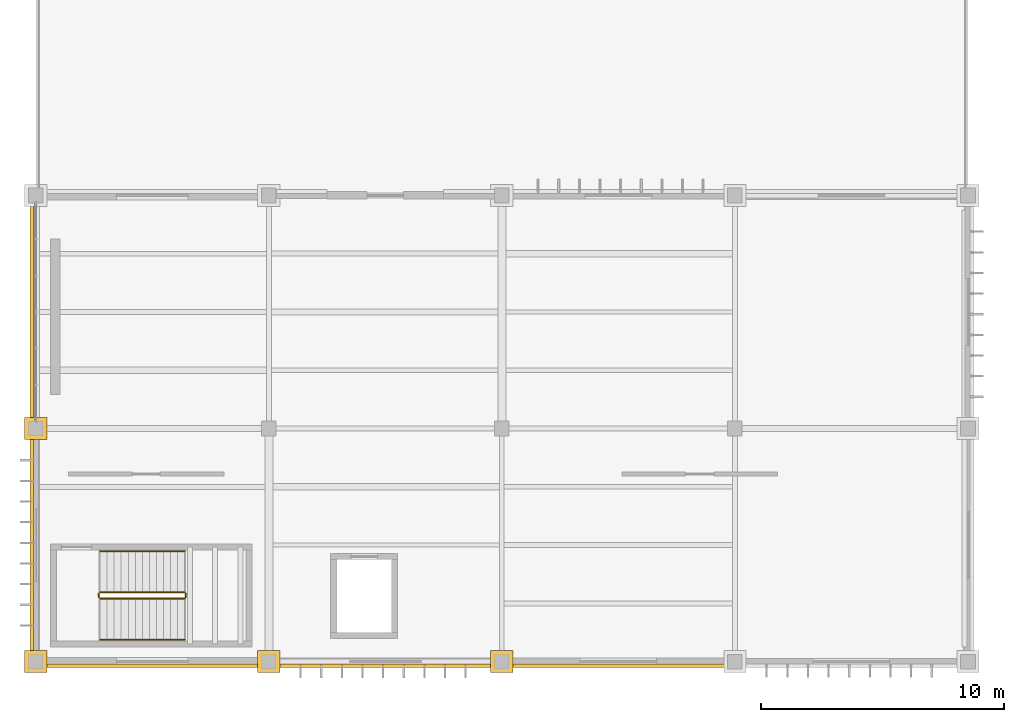
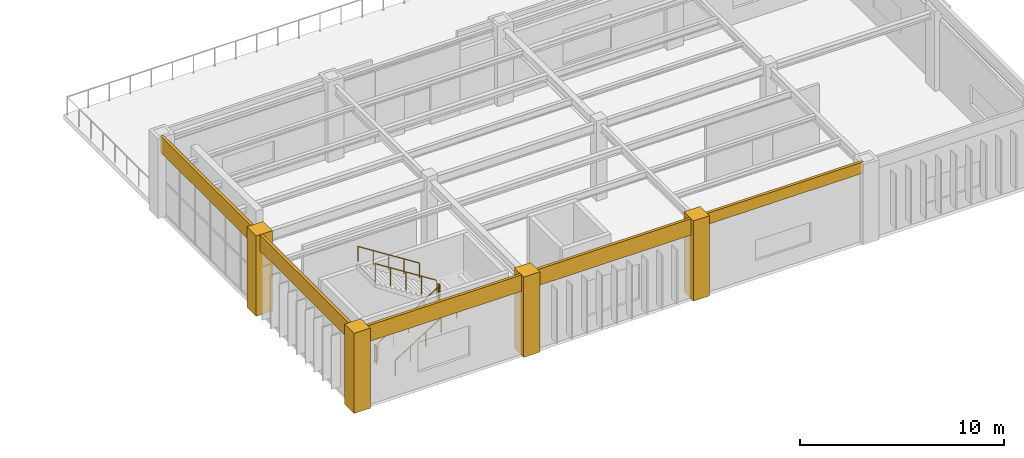
# One storey, part 66 of 83: 9 coverings, 6 railings.
"""IFC4 building model written with IfcOpenShell, lengths in metres."""

from ifc_helpers import new_model, si_unit, direction, frame, origin, origin_2d, place, context, subcontext, project, spatial, polyline, circle, outline, extrude, material, layer, layer_set, type_object, element, save


model = new_model("IFC4")

# Units and contexts
model_context = context("Model", 3, precision=1e-05, world=origin(), true_north=direction((0.0, 1.0)))
body_context = subcontext(model_context, "Body", "Model", "MODEL_VIEW")
ifc_project = project(units=[si_unit("LENGTHUNIT", "METRE"), si_unit("AREAUNIT", "SQUARE_METRE"), si_unit("VOLUMEUNIT", "CUBIC_METRE"), si_unit("PLANEANGLEUNIT", "RADIAN"), si_unit("MASSUNIT", "GRAM", prefix="KILO")], contexts=[model_context])

# Site, building, storey
site_placement = place(None, origin())
site = spatial("IfcSite", under=ifc_project, at=site_placement, CompositionType="ELEMENT")
building_placement = place(site_placement, origin())
building = spatial("IfcBuilding", under=site, at=building_placement, Name="Mavantir Sound Aquarium", CompositionType="ELEMENT")
storey_placement = place(building_placement, frame((0.0, 0.0, 10.5)))
storey = spatial("IfcBuildingStorey", under=building, at=storey_placement, Name="L02", CompositionType="ELEMENT", Elevation=10.5)

# Coverings
ifc_material_1 = material(Name="Honed Coral-Limestone & Glazed Terracotta Rainscreen Cladding", Category="masonry")
ifc_layer = layer(ifc_material_1, 0.06005859375, Name="Honed Coral-Limestone & Glazed Terracotta Rainscreen Cladding")
ifc_layer_set = layer_set([ifc_layer], Name="Honed Coral-Limestone & Glazed Terracotta Rainscreen Cladding")
covering_type = type_object("IfcCoveringType", Name="COV-CLAD-TC", PredefinedType="CLADDING", material=ifc_layer_set)
covering_1_placement = place(storey_placement, frame((0.0, 0.0, 3.823974609375)))
element("IfcCovering", 1, at=covering_1_placement, inside=storey, type_object=covering_type, Name="L02 Postmodern coral-limestone spandrel frieze 331", PredefinedType="CLADDING", context=body_context, shape_type="SweptSolid", body=[
    extrude(outline(polyline([(-0.090087890625, 18.89208984375), (-0.090087890625, 9.907958984375), (-0.239990234375, 9.907958984375), (-0.239990234375, 18.89208984375), (-0.090087890625, 18.89208984375)])), origin(), (0.0, 0.0, 1.0), 0.97607421875),
])
covering_2_placement = place(storey_placement, frame((0.0, 0.0, 3.823974609375)))
element("IfcCovering", 2, at=covering_2_placement, inside=storey, type_object=covering_type, Name="L02 Postmodern coral-limestone spandrel frieze 332", PredefinedType="CLADDING", context=body_context, shape_type="SweptSolid", body=[
    extrude(outline(polyline([(-0.090087890625, 9.2919921875), (-0.090087890625, 0.30810546875), (-0.239990234375, 0.30810546875), (-0.239990234375, 9.2919921875), (-0.090087890625, 9.2919921875)])), origin(), (0.0, 0.0, 1.0), 0.97607421875),
])
covering_3_placement = place(storey_placement, frame((0.0, 0.0, 3.824951171875)))
element("IfcCovering", 3, at=covering_3_placement, inside=storey, type_object=covering_type, Name="L02 Postmodern coral-limestone spandrel frieze 333", PredefinedType="CLADDING", context=body_context, shape_type="SweptSolid", body=[
    extrude(outline(polyline([(0.30810546875, -0.090087890625), (9.2919921875, -0.090087890625), (9.2919921875, -0.239990234375), (0.30810546875, -0.239990234375), (0.30810546875, -0.090087890625)])), origin(), (0.0, 0.0, 1.0), 0.97509765625),
])
covering_4_placement = place(storey_placement, frame((0.0, 0.0, 3.824951171875)))
element("IfcCovering", 4, at=covering_4_placement, inside=storey, type_object=covering_type, Name="L02 Postmodern coral-limestone spandrel frieze 334", PredefinedType="CLADDING", context=body_context, shape_type="SweptSolid", body=[
    extrude(outline(polyline([(9.907958984375, -0.090087890625), (18.89208984375, -0.090087890625), (18.89208984375, -0.239990234375), (9.907958984375, -0.239990234375), (9.907958984375, -0.090087890625)])), origin(), (0.0, 0.0, 1.0), 0.97509765625),
])
covering_5_placement = place(storey_placement, frame((0.0, 0.0, 4.1279296875)))
element("IfcCovering", 5, at=covering_5_placement, inside=storey, type_object=covering_type, Name="L02 Postmodern coral-limestone spandrel frieze 335", PredefinedType="CLADDING", context=body_context, shape_type="SweptSolid", body=[
    extrude(outline(polyline([(19.508056640625, -0.090087890625), (28.491943359375, -0.090087890625), (28.491943359375, -0.239990234375), (19.508056640625, -0.239990234375), (19.508056640625, -0.090087890625)])), origin(), (0.0, 0.0, 1.0), 0.672119140625),
])
covering_6_placement = place(storey_placement, origin())
element("IfcCovering", 6, at=covering_6_placement, inside=storey, type_object=covering_type, Name="L02 Postmodern coral-limestone pilaster casing 161", PredefinedType="CLADDING", context=body_context, shape_type="SweptSolid", body=[
    extrude(outline(polyline([(-0.4599609375, -0.4599609375), (0.4599609375, -0.4599609375), (0.4599609375, 0.4599609375), (-0.4599609375, 0.4599609375), (-0.4599609375, -0.4599609375)])), origin(), (0.0, 0.0, 1.0), 4.800048828125),
])
covering_7_placement = place(storey_placement, origin())
element("IfcCovering", 7, at=covering_7_placement, inside=storey, type_object=covering_type, Name="L02 Postmodern coral-limestone pilaster casing 165", PredefinedType="CLADDING", context=body_context, shape_type="SweptSolid", body=[
    extrude(outline(polyline([(-0.4599609375, 9.139892578125), (0.4599609375, 9.139892578125), (0.4599609375, 10.06005859375), (-0.4599609375, 10.06005859375), (-0.4599609375, 9.139892578125)])), origin(), (0.0, 0.0, 1.0), 4.800048828125),
])
covering_8_placement = place(storey_placement, origin())
element("IfcCovering", 8, at=covering_8_placement, inside=storey, type_object=covering_type, Name="L02 Postmodern coral-limestone pilaster casing 175", PredefinedType="CLADDING", context=body_context, shape_type="SweptSolid", body=[
    extrude(outline(polyline([(9.139892578125, -0.4599609375), (10.06005859375, -0.4599609375), (10.06005859375, 0.4599609375), (9.139892578125, 0.4599609375), (9.139892578125, -0.4599609375)])), origin(), (0.0, 0.0, 1.0), 4.800048828125),
])
covering_9_placement = place(storey_placement, origin())
element("IfcCovering", 9, at=covering_9_placement, inside=storey, type_object=covering_type, Name="L02 Postmodern coral-limestone pilaster casing 183", PredefinedType="CLADDING", context=body_context, shape_type="SweptSolid", body=[
    extrude(outline(polyline([(18.739990234375, -0.4599609375), (19.659912109375, -0.4599609375), (19.659912109375, 0.4599609375), (18.739990234375, 0.4599609375), (18.739990234375, -0.4599609375)])), origin(), (0.0, 0.0, 1.0), 4.800048828125),
])

# Railings
ifc_material_2 = material(Name="Stainless Steel 316 and Laminated Glass Guardrail", Category="steel")
railing_type_1 = type_object("IfcRailingType", Name="RL-GUARD-110", PredefinedType="GUARDRAIL", material=ifc_material_2)
railing_1_placement = place(storey_placement, frame((2.64990234375, 2.60009765625, 0.1845703125)))
element("IfcRailing", 10, at=railing_1_placement, inside=storey, type_object=railing_type_1, Name="L02 ST3 stair guard 1", PredefinedType="GUARDRAIL", context=body_context, shape_type="SweptSolid", body=[
    extrude(circle(Radius=0.02392578125, at=origin_2d()), frame((0.0, 0.0, 1.076171875), z_axis=(0.843573748531, 0.0, 0.537013343214), x_axis=(0.0, 1.0, 0.0)), (0.0, 0.0, 1.0), 4.125244140625),
    extrude(circle(Radius=0.02099609375, at=origin_2d()), origin(), (0.0, 0.0, 1.0), 1.052001953125),
    extrude(circle(Radius=0.02099609375, at=origin_2d()), frame((0.8701171875, 0.0, 0.5537109375)), (0.0, 0.0, 1.0), 1.052001953125),
    extrude(circle(Radius=0.02099609375, at=origin_2d()), frame((1.739990234375, 0.0, 1.107666015625)), (0.0, 0.0, 1.0), 1.052001953125),
    extrude(circle(Radius=0.02099609375, at=origin_2d()), frame((2.60986328125, 0.0, 1.66162109375)), (0.0, 0.0, 1.0), 1.052001953125),
    extrude(circle(Radius=0.02099609375, at=origin_2d()), frame((3.47998046875, 0.0, 2.21533203125)), (0.0, 0.0, 1.0), 1.052001953125),
])
railing_2_placement = place(storey_placement, frame((6.179931640625, 2.64990234375, 2.39990234375)))
element("IfcRailing", 11, at=railing_2_placement, inside=storey, type_object=railing_type_1, Name="L02 ST3 stair guard 2", PredefinedType="GUARDRAIL", context=body_context, shape_type="SweptSolid", body=[
    extrude(circle(Radius=0.02392578125, at=origin_2d()), frame((0.0, 0.0, 1.076171875), z_axis=(0.0, 1.0, 0.0), x_axis=(-1.0, 0.0, 0.0)), (0.0, 0.0, 1.0), 0.150146484375),
    extrude(circle(Radius=0.02099609375, at=origin_2d()), origin(), (0.0, 0.0, 1.0), 1.052001953125),
    extrude(circle(Radius=0.02099609375, at=origin_2d()), frame((0.0, 0.150146484375, 0.0)), (0.0, 0.0, 1.0), 1.052001953125),
])
railing_3_placement = place(storey_placement, frame((6.1298828125, 2.85009765625, 2.584716796875)))
element("IfcRailing", 12, at=railing_3_placement, inside=storey, type_object=railing_type_1, Name="L02 ST3 stair guard 3", PredefinedType="GUARDRAIL", context=body_context, shape_type="SweptSolid", body=[
    extrude(circle(Radius=0.02392578125, at=origin_2d()), frame((0.0, 0.0, 1.076171875), z_axis=(-0.843573748531, 0.0, 0.537013343214), x_axis=(0.0, -1.0, 0.0)), (0.0, 0.0, 1.0), 4.125244140625),
    extrude(circle(Radius=0.02099609375, at=origin_2d()), origin(), (0.0, 0.0, 1.0), 1.052001953125),
    extrude(circle(Radius=0.02099609375, at=origin_2d()), frame((-0.8701171875, 0.0, 0.5537109375)), (0.0, 0.0, 1.0), 1.052001953125),
    extrude(circle(Radius=0.02099609375, at=origin_2d()), frame((-1.739990234375, 0.0, 1.107666015625)), (0.0, 0.0, 1.0), 1.052001953125),
    extrude(circle(Radius=0.02099609375, at=origin_2d()), frame((-2.60986328125, 0.0, 1.66162109375)), (0.0, 0.0, 1.0), 1.052001953125),
    extrude(circle(Radius=0.02099609375, at=origin_2d()), frame((-3.47998046875, 0.0, 2.21533203125)), (0.0, 0.0, 1.0), 1.052001953125),
])
railing_4_placement = place(storey_placement, frame((2.60009765625, 2.64990234375, 0.0)))
element("IfcRailing", 13, at=railing_4_placement, inside=storey, type_object=railing_type_1, Name="L02 ST3 stair guard 4", PredefinedType="GUARDRAIL", context=body_context, shape_type="SweptSolid", body=[
    extrude(circle(Radius=0.02392578125, at=origin_2d()), frame((0.0, 0.0, 1.076171875), z_axis=(0.0, 1.0, 0.0), x_axis=(-1.0, 0.0, 0.0)), (0.0, 0.0, 1.0), 0.150146484375),
    extrude(circle(Radius=0.02099609375, at=origin_2d()), origin(), (0.0, 0.0, 1.0), 1.052001953125),
    extrude(circle(Radius=0.02099609375, at=origin_2d()), frame((0.0, 0.150146484375, 0.0)), (0.0, 0.0, 1.0), 1.052001953125),
])
ifc_material_3 = material(Name="Brushed Stainless Steel 316 Handrail", Category="steel")
railing_type_2 = type_object("IfcRailingType", Name="RL-HR-90", PredefinedType="HANDRAIL", material=ifc_material_3)
railing_5_placement = place(storey_placement, frame((2.64990234375, 0.89990234375, 0.36962890625)))
element("IfcRailing", 14, at=railing_5_placement, inside=storey, type_object=railing_type_2, Name="L02 ST3 stair handrail 1", PredefinedType="HANDRAIL", context=body_context, shape_type="SweptSolid", body=[
    extrude(circle(Radius=0.02392578125, at=origin_2d()), frame((0.0, 0.0, 0.89111328125), z_axis=(0.843573748531, 0.0, 0.537013343214), x_axis=(0.0, 1.0, 0.0)), (0.0, 0.0, 1.0), 4.125244140625),
    extrude(circle(Radius=0.02099609375, at=origin_2d()), origin(), (0.0, 0.0, 1.0), 0.866943359375),
    extrude(circle(Radius=0.02099609375, at=origin_2d()), frame((0.8701171875, 0.0, 0.5537109375)), (0.0, 0.0, 1.0), 0.866943359375),
    extrude(circle(Radius=0.02099609375, at=origin_2d()), frame((1.739990234375, 0.0, 1.107666015625)), (0.0, 0.0, 1.0), 0.866943359375),
    extrude(circle(Radius=0.02099609375, at=origin_2d()), frame((2.60986328125, 0.0, 1.66162109375)), (0.0, 0.0, 1.0), 0.866943359375),
    extrude(circle(Radius=0.02099609375, at=origin_2d()), frame((3.47998046875, 0.0, 2.21533203125)), (0.0, 0.0, 1.0), 0.866943359375),
])
railing_6_placement = place(storey_placement, frame((6.1298828125, 4.550048828125, 2.76953125)))
element("IfcRailing", 15, at=railing_6_placement, inside=storey, type_object=railing_type_2, Name="L02 ST3 stair handrail 2", PredefinedType="HANDRAIL", context=body_context, shape_type="SweptSolid", body=[
    extrude(circle(Radius=0.02392578125, at=origin_2d()), frame((0.0, 0.0, 0.89111328125), z_axis=(-0.843546938479, 0.0, 0.53705545578), x_axis=(0.0, -1.0, 0.0)), (0.0, 0.0, 1.0), 4.12548828125),
    extrude(circle(Radius=0.02099609375, at=origin_2d()), origin(), (0.0, 0.0, 1.0), 0.866943359375),
    extrude(circle(Radius=0.02099609375, at=origin_2d()), frame((-0.8701171875, 0.0, 0.553955078125)), (0.0, 0.0, 1.0), 0.866943359375),
    extrude(circle(Radius=0.02099609375, at=origin_2d()), frame((-1.739990234375, 0.0, 1.10791015625)), (0.0, 0.0, 1.0), 0.866943359375),
    extrude(circle(Radius=0.02099609375, at=origin_2d()), frame((-2.60986328125, 0.0, 1.66162109375)), (0.0, 0.0, 1.0), 0.866943359375),
    extrude(circle(Radius=0.02099609375, at=origin_2d()), frame((-3.47998046875, 0.0, 2.215576171875)), (0.0, 0.0, 1.0), 0.866943359375),
])

save(model, "model.ifc")
